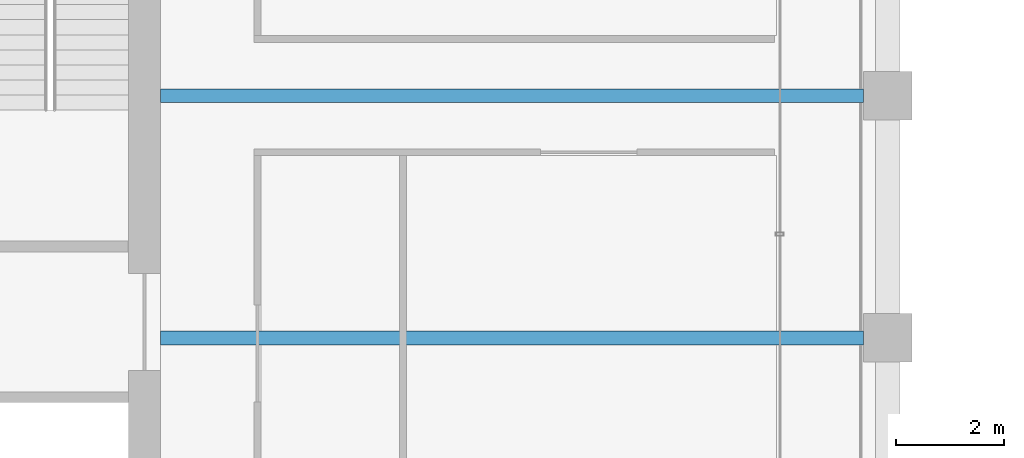
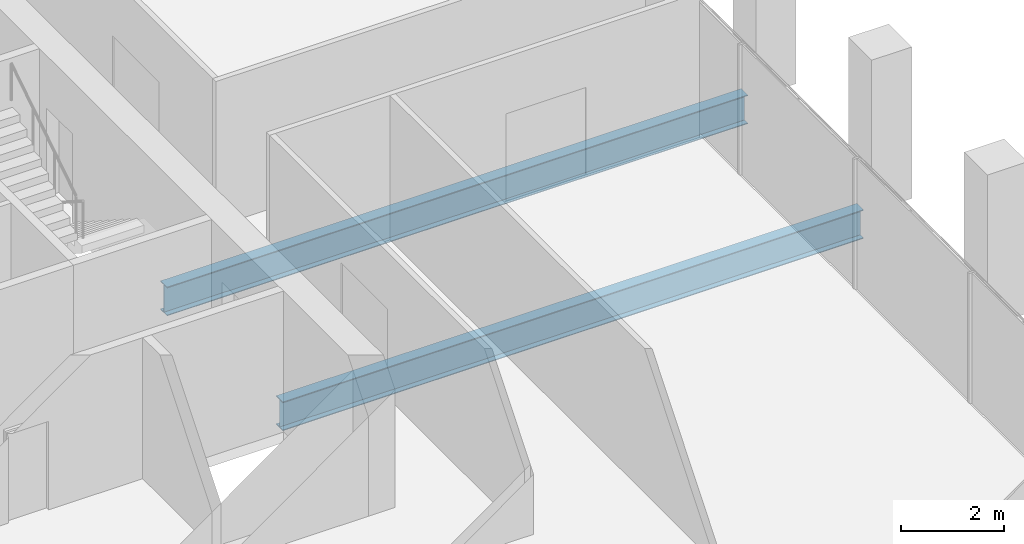
# One storey, part 16 of 40: 2 beams.
"""IFC4 building model written with IfcOpenShell, lengths in metres."""

from ifc_helpers import new_model, si_unit, direction, frame, origin, origin_2d, place, context, subcontext, project, spatial, i_section, extrude, material, material_profile, profile_set, type_object, element, save


model = new_model("IFC4")

# Units and contexts
model_context = context("Model", 3, precision=1e-05, world=origin(), true_north=direction((0.0, 1.0)))
body_context = subcontext(model_context, "Body", "Model", "MODEL_VIEW")
ifc_project = project(units=[si_unit("LENGTHUNIT", "METRE"), si_unit("AREAUNIT", "SQUARE_METRE"), si_unit("VOLUMEUNIT", "CUBIC_METRE"), si_unit("PLANEANGLEUNIT", "RADIAN"), si_unit("MASSUNIT", "GRAM", prefix="KILO")], contexts=[model_context])

# Site, building, storey
site_placement = place(None, origin())
site = spatial("IfcSite", under=ifc_project, at=site_placement, CompositionType="ELEMENT")
building_placement = place(site_placement, origin())
building = spatial("IfcBuilding", under=site, at=building_placement, Name="Altepetl Exchange Towers", CompositionType="ELEMENT")
storey_placement = place(building_placement, frame((0.0, 0.0, 154.60009765625)))
storey = spatial("IfcBuildingStorey", under=building, at=storey_placement, Name="L38", CompositionType="ELEMENT", Elevation=154.60009765625)

# Beams
ifc_material = material(Name="Steel S355", Category="steel")
ifc_material_profile = material_profile(ifc_material, i_section(OverallWidth=0.25390625, OverallDepth=0.68408203125, WebThickness=0.012451171875, FlangeThickness=0.018798828125, at=origin_2d()), Name="W27X94")
ifc_profile_set = profile_set([ifc_material_profile], Name="Steel S355")
beam_type = type_object("IfcBeamType", Name="Floor beam W27X94", PredefinedType="BEAM", material=ifc_profile_set)
for number, where, z_axis, x_axis, name in (
    (1, (58.5, 45.0, -0.4921875), (1.0, 0.0, 0.0), (0.0, 1.0, 0.0), "bm:A:L38:009"),
    (2, (58.5, 49.5, -0.4921875), (1.0, 0.0, 0.0), (0.0, 1.0, 0.0), "bm:A:L38:010"),
):
    element("IfcBeam", number, at=place(storey_placement, frame(where, z_axis=z_axis, x_axis=x_axis)), inside=storey, type_object=beam_type, Name=name, PredefinedType="BEAM", context=body_context, shape_type="SweptSolid", body=[
        extrude(i_section(OverallWidth=0.25390625, OverallDepth=0.68408203125, WebThickness=0.012451171875, FlangeThickness=0.018798828125, at=origin_2d()), origin(), (0.0, 0.0, 1.0), 13.050048828125),
    ])

save(model, "model.ifc")
